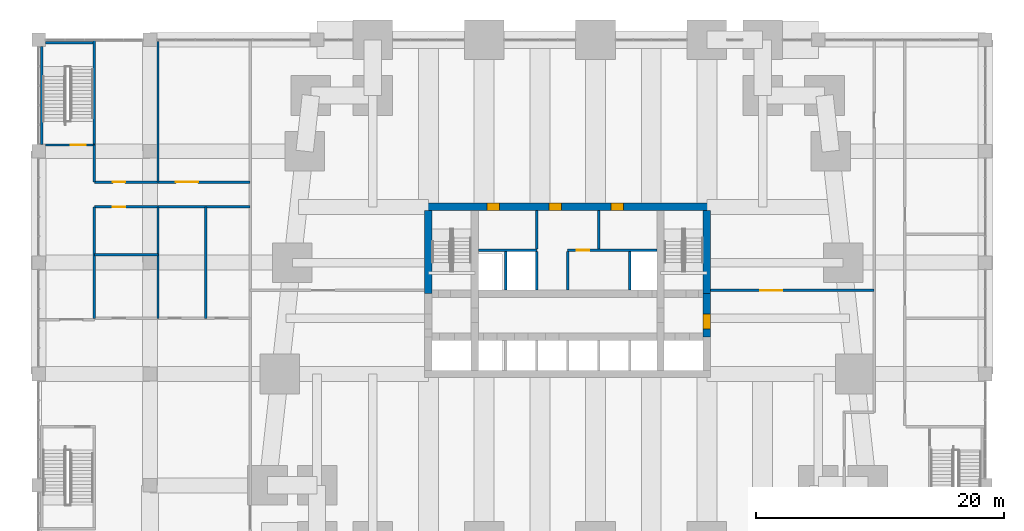
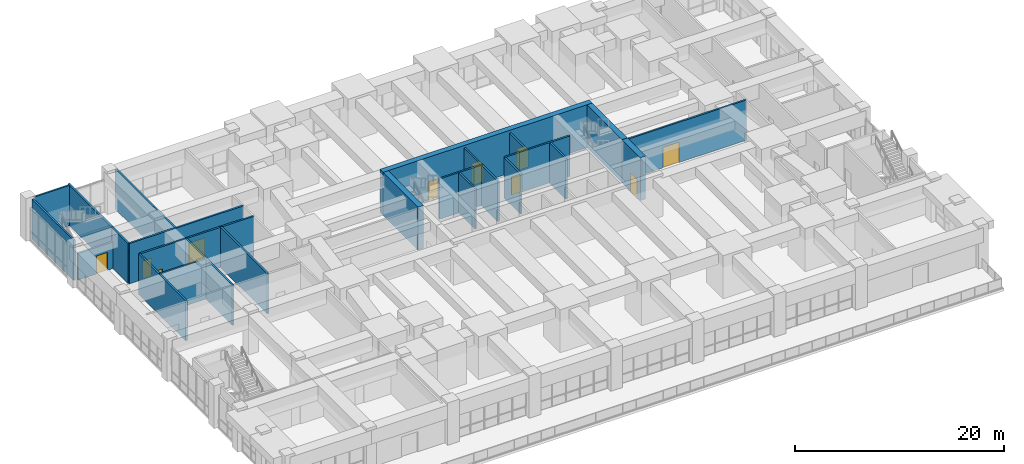
# One storey, part 22 of 27: 25 walls, 10 doors, 10 openings.
"""IFC4 building model written with IfcOpenShell, lengths in metres."""

from ifc_helpers import new_model, si_unit, direction, frame, frame_2d, origin, place, context, subcontext, project, spatial, rectangle, extrude, material, layer, layer_set, type_object, element, fill, save


model = new_model("IFC4")

# Units and contexts
model_context = context("Model", 3, precision=1e-05, world=origin(), true_north=direction((0.0, 1.0)))
body_context = subcontext(model_context, "Body", "Model", "MODEL_VIEW")
ifc_project = project(units=[si_unit("LENGTHUNIT", "METRE"), si_unit("AREAUNIT", "SQUARE_METRE"), si_unit("VOLUMEUNIT", "CUBIC_METRE"), si_unit("PLANEANGLEUNIT", "RADIAN"), si_unit("MASSUNIT", "GRAM", prefix="KILO")], contexts=[model_context])

# Site, building, storey
site_placement = place(None, origin())
site = spatial("IfcSite", under=ifc_project, at=site_placement, CompositionType="ELEMENT")
building_placement = place(site_placement, origin())
building = spatial("IfcBuilding", under=site, at=building_placement, Name="Kilele Tower Hotel", CompositionType="ELEMENT")
storey_placement = place(building_placement, frame((0.0, 0.0, 6.0)))
storey = spatial("IfcBuildingStorey", under=building, at=storey_placement, Name="L01", CompositionType="ELEMENT", Elevation=6.0)

# Wall, openings, doors
ifc_material_1 = material(Name="Concrete C60/75", Category="concrete")
ifc_layer_1 = layer(ifc_material_1, 0.60009765625)
ifc_layer_set_1 = layer_set([ifc_layer_1], Name="Concrete C60/75")
wall_type_1 = type_object("IfcWallType", Name="Core wall 600 C60/75", PredefinedType="SHEAR", material=ifc_layer_set_1)
wall_1_placement = place(storey_placement, frame((36.300048828125, 27.0, 0.0), z_axis=(0.0, 0.0, 1.0), x_axis=(-1.0, 0.0, 0.0)))
wall_1 = element("IfcWall", 1, at=wall_1_placement, inside=storey, type_object=wall_type_1, Name="Core wall N L01", PredefinedType="SHEAR", context=body_context, shape_type="SweptSolid", body=[
    extrude(rectangle(XDim=23.10009765625, YDim=0.60009765625, at=frame_2d((11.550048828125, 0.0))), origin(), (0.0, 0.0, 1.0), 5.0),
])
opening_1_placement = place(wall_1_placement, frame((17.050048828125, 0.0, 0.0)))
opening_1 = element("IfcOpeningElement", 2, at=opening_1_placement, cuts=wall_1, Name="Opening D6", PredefinedType="OPENING", context=body_context, shape_type="SweptSolid", body=[
    extrude(rectangle(XDim=1.0, YDim=2.10009765625, at=frame_2d((0.5, 1.050048828125))), frame((0.0, 0.31005859375, 0.0), z_axis=(0.0, -1.0, 0.0), x_axis=(1.0, 0.0, 0.0)), (0.0, 0.0, 1.0), 0.6201171875),
])
opening_2_placement = place(wall_1_placement, frame((12.050048828125, 0.0, 0.0)))
opening_2 = element("IfcOpeningElement", 3, at=opening_2_placement, cuts=wall_1, Name="Opening D6", PredefinedType="OPENING", context=body_context, shape_type="SweptSolid", body=[
    extrude(rectangle(XDim=1.0, YDim=2.10009765625, at=frame_2d((0.5, 1.050048828125))), frame((0.0, 0.31005859375, 0.0), z_axis=(0.0, -1.0, 0.0), x_axis=(1.0, 0.0, 0.0)), (0.0, 0.0, 1.0), 0.6201171875),
])
opening_3_placement = place(wall_1_placement, frame((7.050048828125, 0.0, 0.0)))
opening_3 = element("IfcOpeningElement", 4, at=opening_3_placement, cuts=wall_1, Name="Opening D6", PredefinedType="OPENING", context=body_context, shape_type="SweptSolid", body=[
    extrude(rectangle(XDim=1.0, YDim=2.10009765625, at=frame_2d((0.5, 1.050048828125))), frame((0.0, 0.31005859375, 0.0), z_axis=(0.0, -1.0, 0.0), x_axis=(1.0, 0.0, 0.0)), (0.0, 0.0, 1.0), 0.6201171875),
])
ifc_material_2 = material(Name="Timber door leaf in hardwood frame", Category="wood")
door_type_1 = type_object("IfcDoorType", Name="Riser door 1000", OperationType="SINGLE_SWING_LEFT", PredefinedType="DOOR", material=ifc_material_2)
door_1_placement = place(opening_1_placement, origin())
door_1 = element("IfcDoor", 5, at=door_1_placement, inside=storey, type_object=door_type_1, Name="Service riser door L01", OperationType="SINGLE_SWING_RIGHT", OverallHeight=2.10009765625, OverallWidth=1.0, PredefinedType="DOOR", context=body_context, shape_type="SweptSolid", body=[
    extrude(rectangle(XDim=1.0, YDim=2.10009765625, at=frame_2d((0.5, 1.050048828125))), frame((0.0, 0.2998046875, 0.0), z_axis=(0.0, -1.0, 0.0), x_axis=(1.0, 0.0, 0.0)), (0.0, 0.0, 1.0), 0.599609375),
])
fill(opening_1, door_1)
door_2_placement = place(opening_2_placement, origin())
door_2 = element("IfcDoor", 6, at=door_2_placement, inside=storey, type_object=door_type_1, Name="Linen store door L01", OperationType="SINGLE_SWING_RIGHT", OverallHeight=2.10009765625, OverallWidth=1.0, PredefinedType="DOOR", context=body_context, shape_type="SweptSolid", body=[
    extrude(rectangle(XDim=1.0, YDim=2.10009765625, at=frame_2d((0.5, 1.050048828125))), frame((0.0, 0.2998046875, 0.0), z_axis=(0.0, -1.0, 0.0), x_axis=(1.0, 0.0, 0.0)), (0.0, 0.0, 1.0), 0.599609375),
])
fill(opening_2, door_2)
door_3_placement = place(opening_3_placement, origin())
door_3 = element("IfcDoor", 7, at=door_3_placement, inside=storey, type_object=door_type_1, Name="Electrical riser door L01", OperationType="SINGLE_SWING_RIGHT", OverallHeight=2.10009765625, OverallWidth=1.0, PredefinedType="DOOR", context=body_context, shape_type="SweptSolid", body=[
    extrude(rectangle(XDim=1.0, YDim=2.10009765625, at=frame_2d((0.5, 1.050048828125))), frame((0.0, 0.2998046875, 0.0), z_axis=(0.0, -1.0, 0.0), x_axis=(1.0, 0.0, 0.0)), (0.0, 0.0, 1.0), 0.599609375),
])
fill(opening_3, door_3)

# Wall
wall_2_placement = place(storey_placement, frame((13.5, 26.699951171875, 0.0), z_axis=(0.0, 0.0, 1.0), x_axis=(0.0, -1.0, 0.0)))
element("IfcWall", 8, at=wall_2_placement, inside=storey, type_object=wall_type_1, Name="Core wall W1 L01", PredefinedType="SHEAR", context=body_context, shape_type="SweptSolid", body=[
    extrude(rectangle(XDim=6.699951171875, YDim=0.60009765625, at=frame_2d((3.35009765625, 0.0))), origin(), (0.0, 0.0, 1.0), 5.0),
])

# Wall, opening, door
wall_3_placement = place(storey_placement, frame((36.0, 16.5, 0.0), z_axis=(0.0, 0.0, 1.0), x_axis=(0.0, 1.0, 0.0)))
wall_3 = element("IfcWall", 9, at=wall_3_placement, inside=storey, type_object=wall_type_1, Name="Core wall E2 L01", PredefinedType="SHEAR", context=body_context, shape_type="SweptSolid", body=[
    extrude(rectangle(XDim=3.5, YDim=0.60009765625, at=frame_2d((1.75, 0.0))), origin(), (0.0, 0.0, 1.0), 5.0),
])
opening_4_placement = place(wall_3_placement, frame((0.64990234375, 0.0, 0.0)))
opening_4 = element("IfcOpeningElement", 10, at=opening_4_placement, cuts=wall_3, Name="Opening D4", PredefinedType="OPENING", context=body_context, shape_type="SweptSolid", body=[
    extrude(rectangle(XDim=1.199951171875, YDim=2.10009765625, at=frame_2d((0.60009765625, 1.050048828125))), frame((0.0, 0.31005859375, 0.0), z_axis=(0.0, -1.0, 0.0), x_axis=(1.0, 0.0, 0.0)), (0.0, 0.0, 1.0), 0.6201171875),
])
ifc_material_3 = material(Name="Timber door leaf in hardwood frame", Category="wood")
door_type_2 = type_object("IfcDoorType", Name="Firefighting lobby door 1200", OperationType="SINGLE_SWING_LEFT", PredefinedType="DOOR", material=ifc_material_3)
door_4_placement = place(opening_4_placement, origin())
door_4 = element("IfcDoor", 11, at=door_4_placement, inside=storey, type_object=door_type_2, Name="Lobby door L01", OperationType="SINGLE_SWING_LEFT", OverallHeight=2.10009765625, OverallWidth=1.199951171875, PredefinedType="DOOR", context=body_context, shape_type="SweptSolid", body=[
    extrude(rectangle(XDim=1.199951171875, YDim=2.10009765625, at=frame_2d((0.60009765625, 1.050048828125))), frame((0.0, 0.2998046875, 0.0), z_axis=(0.0, -1.0, 0.0), x_axis=(1.0, 0.0, 0.0)), (0.0, 0.0, 1.0), 0.599609375),
])
fill(opening_4, door_4)

# Walls
wall_4_placement = place(storey_placement, frame((36.0, 20.0, 0.0), z_axis=(0.0, 0.0, 1.0), x_axis=(0.0, 1.0, 0.0)))
element("IfcWall", 12, at=wall_4_placement, inside=storey, type_object=wall_type_1, Name="Core wall E3 L01", PredefinedType="SHEAR", context=body_context, shape_type="SweptSolid", body=[
    extrude(rectangle(XDim=6.699951171875, YDim=0.60009765625, at=frame_2d((3.35009765625, 0.0))), origin(), (0.0, 0.0, 1.0), 5.0),
])
ifc_material_4 = material(Name="Blockwork, plastered both sides", Category="masonry")
ifc_layer_2 = layer(ifc_material_4, 0.199951171875)
ifc_layer_set_2 = layer_set([ifc_layer_2], Name="Blockwork, plastered both sides")
wall_type_2 = type_object("IfcWallType", Name="Partition wall 200", PredefinedType="PARTITIONING", material=ifc_layer_set_2)
wall_5_placement = place(storey_placement, frame((-13.5, 18.0, 0.0), z_axis=(0.0, 0.0, 1.0), x_axis=(0.0, 1.0, 0.0)))
element("IfcWall", 13, at=wall_5_placement, inside=storey, type_object=wall_type_2, Name="Partition wall 200 L01", PredefinedType="PARTITIONING", context=body_context, shape_type="SweptSolid", body=[
    extrude(rectangle(XDim=9.0, YDim=0.199951171875, at=frame_2d((4.5, 0.0))), origin(), (0.0, 0.0, 1.0), 4.699951171875),
])

# Wall, opening, door
wall_6_placement = place(storey_placement, frame((-13.5, 27.0, 0.0), z_axis=(0.0, 0.0, 1.0), x_axis=(1.0, 0.0, 0.0)))
wall_6 = element("IfcWall", 14, at=wall_6_placement, inside=storey, type_object=wall_type_2, Name="Partition wall 200 L01", PredefinedType="PARTITIONING", context=body_context, shape_type="SweptSolid", body=[
    extrude(rectangle(XDim=12.60009765625, YDim=0.199951171875, at=frame_2d((6.300048828125, 0.0))), origin(), (0.0, 0.0, 1.0), 4.699951171875),
])
opening_5_placement = place(wall_6_placement, frame((2.5, 0.0, 0.0), z_axis=(0.0, 0.0, 1.0), x_axis=(-1.0, 0.0, 0.0)))
opening_5 = element("IfcOpeningElement", 15, at=opening_5_placement, cuts=wall_6, Name="Opening D8", PredefinedType="OPENING", context=body_context, shape_type="SweptSolid", body=[
    extrude(rectangle(XDim=1.0, YDim=2.10009765625, at=frame_2d((0.5, 1.050048828125))), frame((0.0, 0.10986328125, 0.0), z_axis=(0.0, -1.0, 0.0), x_axis=(1.0, 0.0, 0.0)), (0.0, 0.0, 1.0), 0.219970703125),
])
ifc_material_5 = material(Name="Timber door leaf in hardwood frame", Category="wood")
door_type_3 = type_object("IfcDoorType", Name="Door 1000", OperationType="SINGLE_SWING_LEFT", PredefinedType="DOOR", material=ifc_material_5)
door_5_placement = place(opening_5_placement, origin())
door_5 = element("IfcDoor", 16, at=door_5_placement, inside=storey, type_object=door_type_3, Name="Accessible WC door", OperationType="SINGLE_SWING_RIGHT", OverallHeight=2.10009765625, OverallWidth=1.0, PredefinedType="DOOR", context=body_context, shape_type="SweptSolid", body=[
    extrude(rectangle(XDim=1.0, YDim=2.10009765625, at=frame_2d((0.5, 1.050048828125))), frame((0.0, 0.02490234375, 0.0), z_axis=(0.0, -1.0, 0.0), x_axis=(1.0, 0.0, 0.0)), (0.0, 0.0, 1.0), 0.050048828125),
])
fill(opening_5, door_5)

# Walls
wall_7_placement = place(storey_placement, frame((-4.5, 18.0, 0.0), z_axis=(0.0, 0.0, 1.0), x_axis=(0.0, 1.0, 0.0)))
element("IfcWall", 17, at=wall_7_placement, inside=storey, type_object=wall_type_2, Name="Partition wall 200 L01", PredefinedType="PARTITIONING", context=body_context, shape_type="SweptSolid", body=[
    extrude(rectangle(XDim=9.0, YDim=0.199951171875, at=frame_2d((4.5, 0.0))), origin(), (0.0, 0.0, 1.0), 4.699951171875),
])
wall_8_placement = place(storey_placement, frame((-13.5, 23.14990234375, 0.0), z_axis=(0.0, 0.0, 1.0), x_axis=(1.0, 0.0, 0.0)))
element("IfcWall", 18, at=wall_8_placement, inside=storey, type_object=wall_type_2, Name="Partition wall 200 L01", PredefinedType="PARTITIONING", context=body_context, shape_type="SweptSolid", body=[
    extrude(rectangle(XDim=5.14990234375, YDim=0.199951171875, at=frame_2d((2.574951171875, 0.0))), origin(), (0.0, 0.0, 1.0), 4.699951171875),
])
wall_9_placement = place(storey_placement, frame((-8.35009765625, 18.0, 0.0), z_axis=(0.0, 0.0, 1.0), x_axis=(0.0, 1.0, 0.0)))
element("IfcWall", 19, at=wall_9_placement, inside=storey, type_object=wall_type_2, Name="Partition wall 200 L01", PredefinedType="PARTITIONING", context=body_context, shape_type="SweptSolid", body=[
    extrude(rectangle(XDim=9.0, YDim=0.199951171875, at=frame_2d((4.5, 0.0))), origin(), (0.0, 0.0, 1.0), 4.699951171875),
])

# Wall, openings, doors
wall_10_placement = place(storey_placement, frame((-13.5, 29.0, 0.0), z_axis=(0.0, 0.0, 1.0), x_axis=(1.0, 0.0, 0.0)))
wall_10 = element("IfcWall", 20, at=wall_10_placement, inside=storey, type_object=wall_type_2, Name="Partition wall 200 L01", PredefinedType="PARTITIONING", context=body_context, shape_type="SweptSolid", body=[
    extrude(rectangle(XDim=12.60009765625, YDim=0.199951171875, at=frame_2d((6.300048828125, 0.0))), origin(), (0.0, 0.0, 1.0), 4.699951171875),
])
opening_6_placement = place(wall_10_placement, frame((1.5, 0.0, 0.0)))
opening_6 = element("IfcOpeningElement", 21, at=opening_6_placement, cuts=wall_10, Name="Opening D8", PredefinedType="OPENING", context=body_context, shape_type="SweptSolid", body=[
    extrude(rectangle(XDim=1.0, YDim=2.10009765625, at=frame_2d((0.5, 1.050048828125))), frame((0.0, 0.10986328125, 0.0), z_axis=(0.0, -1.0, 0.0), x_axis=(1.0, 0.0, 0.0)), (0.0, 0.0, 1.0), 0.219970703125),
])
opening_7_placement = place(wall_10_placement, frame((6.60009765625, 0.0, 0.0)))
opening_7 = element("IfcOpeningElement", 22, at=opening_7_placement, cuts=wall_10, Name="Opening D9", PredefinedType="OPENING", context=body_context, shape_type="SweptSolid", body=[
    extrude(rectangle(XDim=1.800048828125, YDim=2.39990234375, at=frame_2d((0.89990234375, 1.199951171875))), frame((0.0, 0.10986328125, 0.0), z_axis=(0.0, -1.0, 0.0), x_axis=(1.0, 0.0, 0.0)), (0.0, 0.0, 1.0), 0.219970703125),
])
door_6_placement = place(opening_6_placement, origin())
door_6 = element("IfcDoor", 23, at=door_6_placement, inside=storey, type_object=door_type_3, Name="Door staff room", OperationType="SINGLE_SWING_LEFT", OverallHeight=2.10009765625, OverallWidth=1.0, PredefinedType="DOOR", context=body_context, shape_type="SweptSolid", body=[
    extrude(rectangle(XDim=1.0, YDim=2.10009765625, at=frame_2d((0.5, 1.050048828125))), frame((0.0, 0.02490234375, 0.0), z_axis=(0.0, -1.0, 0.0), x_axis=(1.0, 0.0, 0.0)), (0.0, 0.0, 1.0), 0.050048828125),
])
fill(opening_6, door_6)
ifc_material_6 = material(Name="Timber door leaf in hardwood frame", Category="wood")
door_type_4 = type_object("IfcDoorType", Name="Double door 1800", OperationType="DOUBLE_DOOR_SINGLE_SWING", PredefinedType="DOOR", material=ifc_material_6)
door_7_placement = place(opening_7_placement, origin())
door_7 = element("IfcDoor", 24, at=door_7_placement, inside=storey, type_object=door_type_4, Name="Door administration meeting room", OperationType="DOUBLE_DOOR_SINGLE_SWING", OverallHeight=2.39990234375, OverallWidth=1.800048828125, PredefinedType="DOOR", context=body_context, shape_type="SweptSolid", body=[
    extrude(rectangle(XDim=1.800048828125, YDim=2.39990234375, at=frame_2d((0.89990234375, 1.199951171875))), frame((0.0, 0.02490234375, 0.0), z_axis=(0.0, -1.0, 0.0), x_axis=(1.0, 0.0, 0.0)), (0.0, 0.0, 1.0), 0.050048828125),
])
fill(opening_7, door_7)

# Walls
wall_11_placement = place(storey_placement, frame((-13.5, 29.0, 0.0), z_axis=(0.0, 0.0, 1.0), x_axis=(0.0, 1.0, 0.0)))
element("IfcWall", 25, at=wall_11_placement, inside=storey, type_object=wall_type_2, Name="Partition wall 200 L01", PredefinedType="PARTITIONING", context=body_context, shape_type="SweptSolid", body=[
    extrude(rectangle(XDim=3.0, YDim=0.199951171875, at=frame_2d((1.5, 0.0))), origin(), (0.0, 0.0, 1.0), 4.699951171875),
])
wall_12_placement = place(storey_placement, frame((-8.35009765625, 29.0, 0.0), z_axis=(0.0, 0.0, 1.0), x_axis=(0.0, 1.0, 0.0)))
element("IfcWall", 26, at=wall_12_placement, inside=storey, type_object=wall_type_2, Name="Partition wall 200 L01", PredefinedType="PARTITIONING", context=body_context, shape_type="SweptSolid", body=[
    extrude(rectangle(XDim=11.35009765625, YDim=0.199951171875, at=frame_2d((5.675048828125, 0.0))), origin(), (0.0, 0.0, 1.0), 4.699951171875),
])

# Wall, opening, door
wall_13_placement = place(storey_placement, frame((36.300048828125, 20.25, 0.0), z_axis=(0.0, 0.0, 1.0), x_axis=(1.0, 0.0, 0.0)))
wall_13 = element("IfcWall", 27, at=wall_13_placement, inside=storey, type_object=wall_type_2, Name="Partition wall 200 L01", PredefinedType="PARTITIONING", context=body_context, shape_type="SweptSolid", body=[
    extrude(rectangle(XDim=13.199951171875, YDim=0.199951171875, at=frame_2d((6.60009765625, 0.0))), origin(), (0.0, 0.0, 1.0), 4.699951171875),
])
opening_8_placement = place(wall_13_placement, frame((4.0, 0.0, 0.0)))
opening_8 = element("IfcOpeningElement", 28, at=opening_8_placement, cuts=wall_13, Name="Opening D9", PredefinedType="OPENING", context=body_context, shape_type="SweptSolid", body=[
    extrude(rectangle(XDim=1.800048828125, YDim=2.39990234375, at=frame_2d((0.89990234375, 1.199951171875))), frame((0.0, 0.10986328125, 0.0), z_axis=(0.0, -1.0, 0.0), x_axis=(1.0, 0.0, 0.0)), (0.0, 0.0, 1.0), 0.219970703125),
])
door_8_placement = place(opening_8_placement, origin())
door_8 = element("IfcDoor", 29, at=door_8_placement, inside=storey, type_object=door_type_4, Name="Door Lobby bar", OperationType="DOUBLE_DOOR_SINGLE_SWING", OverallHeight=2.39990234375, OverallWidth=1.800048828125, PredefinedType="DOOR", context=body_context, shape_type="SweptSolid", body=[
    extrude(rectangle(XDim=1.800048828125, YDim=2.39990234375, at=frame_2d((0.89990234375, 1.199951171875))), frame((0.0, 0.02490234375, 0.0), z_axis=(0.0, -1.0, 0.0), x_axis=(1.0, 0.0, 0.0)), (0.0, 0.0, 1.0), 0.050048828125),
])
fill(opening_8, door_8)

# Walls
ifc_material_7 = material(Name="Blockwork, fire-rated", Category="masonry")
ifc_layer_3 = layer(ifc_material_7, 0.199951171875)
ifc_layer_set_3 = layer_set([ifc_layer_3], Name="Blockwork, fire-rated")
wall_type_3 = type_object("IfcWallType", Name="Shaft wall 200", PredefinedType="PARTITIONING", material=ifc_layer_set_3)
for number, where, z_axis, x_axis, name in (
    (30, (19.75, 20.300048828125, 0.0), (0.0, 0.0, 1.0), (0.0, 1.0, 0.0), "Shaft wall 200 L01"),
    (31, (22.25, 20.300048828125, 0.0), (0.0, 0.0, 1.0), (0.0, 1.0, 0.0), "Shaft wall 200 L01"),
    (32, (24.75, 20.300048828125, 0.0), (0.0, 0.0, 1.0), (0.0, 1.0, 0.0), "Shaft wall 200 L01"),
    (33, (29.75, 20.300048828125, 0.0), (0.0, 0.0, 1.0), (0.0, 1.0, 0.0), "Shaft wall 200 L01"),
):
    element("IfcWall", number, at=place(storey_placement, frame(where, z_axis=z_axis, x_axis=x_axis)), inside=storey, type_object=wall_type_3, Name=name, PredefinedType="PARTITIONING", context=body_context, shape_type="SweptSolid", body=[
        extrude(rectangle(XDim=3.099853515625, YDim=0.199951171875, at=frame_2d((1.5498046875, 0.0))), origin(), (0.0, 0.0, 1.0), 4.699951171875),
    ])
wall_14_placement = place(storey_placement, frame((17.550048828125, 23.5, 0.0), z_axis=(0.0, 0.0, 1.0), x_axis=(1.0, 0.0, 0.0)))
element("IfcWall", 34, at=wall_14_placement, inside=storey, type_object=wall_type_3, Name="Shaft wall 200 L01", PredefinedType="PARTITIONING", context=body_context, shape_type="SweptSolid", body=[
    extrude(rectangle(XDim=4.699951171875, YDim=0.199951171875, at=frame_2d((2.35009765625, 0.0))), origin(), (0.0, 0.0, 1.0), 4.699951171875),
])

# Wall, opening, door
wall_15_placement = place(storey_placement, frame((24.75, 23.5, 0.0), z_axis=(0.0, 0.0, 1.0), x_axis=(1.0, 0.0, 0.0)))
wall_15 = element("IfcWall", 35, at=wall_15_placement, inside=storey, type_object=wall_type_3, Name="Shaft wall 200 L01", PredefinedType="PARTITIONING", context=body_context, shape_type="SweptSolid", body=[
    extrude(rectangle(XDim=7.199951171875, YDim=0.199951171875, at=frame_2d((3.60009765625, 0.0))), origin(), (0.0, 0.0, 1.0), 4.699951171875),
])
opening_9_placement = place(wall_15_placement, frame((0.75, 0.0, 0.0)))
opening_9 = element("IfcOpeningElement", 36, at=opening_9_placement, cuts=wall_15, Name="Opening D11", PredefinedType="OPENING", context=body_context, shape_type="SweptSolid", body=[
    extrude(rectangle(XDim=1.0, YDim=2.10009765625, at=frame_2d((0.5, 1.050048828125))), frame((0.0, 0.10986328125, 0.0), z_axis=(0.0, -1.0, 0.0), x_axis=(1.0, 0.0, 0.0)), (0.0, 0.0, 1.0), 0.219970703125),
])
ifc_material_8 = material(Name="Timber door leaf in hardwood frame", Category="wood")
door_type_5 = type_object("IfcDoorType", Name="Core store door 1000", OperationType="SINGLE_SWING_LEFT", PredefinedType="DOOR", material=ifc_material_8)
door_9_placement = place(opening_9_placement, origin())
door_9 = element("IfcDoor", 37, at=door_9_placement, inside=storey, type_object=door_type_5, Name="Core room door H2", OperationType="SINGLE_SWING_RIGHT", OverallHeight=2.10009765625, OverallWidth=1.0, PredefinedType="DOOR", context=body_context, shape_type="SweptSolid", body=[
    extrude(rectangle(XDim=1.0, YDim=2.10009765625, at=frame_2d((0.5, 1.050048828125))), frame((0.0, 0.02490234375, 0.0), z_axis=(0.0, -1.0, 0.0), x_axis=(1.0, 0.0, 0.0)), (0.0, 0.0, 1.0), 0.050048828125),
])
fill(opening_9, door_9)

# Walls
for number, where, z_axis, x_axis, name in (
    (38, (22.25, 23.60009765625, 0.0), (0.0, 0.0, 1.0), (0.0, 1.0, 0.0), "Shaft wall 200 L01"),
    (39, (27.25, 23.60009765625, 0.0), (0.0, 0.0, 1.0), (0.0, 1.0, 0.0), "Shaft wall 200 L01"),
):
    element("IfcWall", number, at=place(storey_placement, frame(where, z_axis=z_axis, x_axis=x_axis)), inside=storey, type_object=wall_type_3, Name=name, PredefinedType="PARTITIONING", context=body_context, shape_type="SweptSolid", body=[
        extrude(rectangle(XDim=3.099853515625, YDim=0.199951171875, at=frame_2d((1.5498046875, 0.0))), origin(), (0.0, 0.0, 1.0), 4.699951171875),
    ])

# Wall, opening, door
ifc_material_9 = material(Name="Concrete C40/50", Category="concrete")
ifc_layer_4 = layer(ifc_material_9, 0.199951171875)
ifc_layer_set_4 = layer_set([ifc_layer_4], Name="Concrete C40/50")
wall_type_4 = type_object("IfcWallType", Name="Stair wall RC 200 C40/50", PredefinedType="SOLIDWALL", material=ifc_layer_set_4)
wall_16_placement = place(storey_placement, frame((-17.449951171875, 32.0, 0.0), z_axis=(0.0, 0.0, 1.0), x_axis=(1.0, 0.0, 0.0)))
wall_16 = element("IfcWall", 40, at=wall_16_placement, inside=storey, type_object=wall_type_4, Name="Stair wall RC 200 C40/50 L01", PredefinedType="SOLIDWALL", context=body_context, shape_type="SweptSolid", body=[
    extrude(rectangle(XDim=4.050048828125, YDim=0.199951171875, at=frame_2d((2.02490234375, 0.0))), origin(), (0.0, 0.0, 1.0), 3.10009765625),
])
opening_10_placement = place(wall_16_placement, frame((2.050048828125, 0.0, 0.0)))
opening_10 = element("IfcOpeningElement", 41, at=opening_10_placement, cuts=wall_16, Name="Opening D5A", PredefinedType="OPENING", context=body_context, shape_type="SweptSolid", body=[
    extrude(rectangle(XDim=1.199951171875, YDim=2.10009765625, at=frame_2d((0.60009765625, 1.050048828125))), frame((0.0, 0.10986328125, 0.0), z_axis=(0.0, -1.0, 0.0), x_axis=(1.0, 0.0, 0.0)), (0.0, 0.0, 1.0), 0.219970703125),
])
ifc_material_10 = material(Name="Timber door leaf in hardwood frame", Category="wood")
door_type_6 = type_object("IfcDoorType", Name="Stair door 1200", OperationType="SINGLE_SWING_LEFT", PredefinedType="DOOR", material=ifc_material_10)
door_10_placement = place(opening_10_placement, origin())
door_10 = element("IfcDoor", 42, at=door_10_placement, inside=storey, type_object=door_type_6, Name="Stair 3 door", OperationType="SINGLE_SWING_RIGHT", OverallHeight=2.10009765625, OverallWidth=1.199951171875, PredefinedType="DOOR", context=body_context, shape_type="SweptSolid", body=[
    extrude(rectangle(XDim=1.199951171875, YDim=2.10009765625, at=frame_2d((0.60009765625, 1.050048828125))), frame((0.0, 0.02490234375, 0.0), z_axis=(0.0, -1.0, 0.0), x_axis=(1.0, 0.0, 0.0)), (0.0, 0.0, 1.0), 0.050048828125),
])
fill(opening_10, door_10)

# Walls
wall_17_placement = place(storey_placement, frame((-13.5, 32.10009765625, 0.0), z_axis=(0.0, 0.0, 1.0), x_axis=(0.0, 1.0, 0.0)))
element("IfcWall", 43, at=wall_17_placement, inside=storey, type_object=wall_type_4, Name="Stair wall RC 200 C40/50 L01", PredefinedType="SOLIDWALL", context=body_context, shape_type="SweptSolid", body=[
    extrude(rectangle(XDim=8.39990234375, YDim=0.199951171875, at=frame_2d((4.199951171875, 0.0))), origin(), (0.0, 0.0, 1.0), 4.699951171875),
])
wall_18_placement = place(storey_placement, frame((-17.75, 32.050048828125, 0.0), z_axis=(0.0, 0.0, 1.0), x_axis=(0.0, 1.0, 0.0)))
element("IfcWall", 44, at=wall_18_placement, inside=storey, type_object=wall_type_4, Name="Stair wall RC 200 C40/50 L01", PredefinedType="SOLIDWALL", context=body_context, shape_type="SweptSolid", body=[
    extrude(rectangle(XDim=7.89990234375, YDim=0.199951171875, at=frame_2d((3.949951171875, 0.0))), origin(), (0.0, 0.0, 1.0), 4.699951171875),
])
wall_19_placement = place(storey_placement, frame((-17.449951171875, 40.25, 0.0), z_axis=(0.0, 0.0, 1.0), x_axis=(1.0, 0.0, 0.0)))
element("IfcWall", 45, at=wall_19_placement, inside=storey, type_object=wall_type_4, Name="Stair wall RC 200 C40/50 L01", PredefinedType="SOLIDWALL", context=body_context, shape_type="SweptSolid", body=[
    extrude(rectangle(XDim=3.849853515625, YDim=0.199951171875, at=frame_2d((1.9248046875, 0.0))), origin(), (0.0, 0.0, 1.0), 4.699951171875),
])

save(model, "model.ifc")
